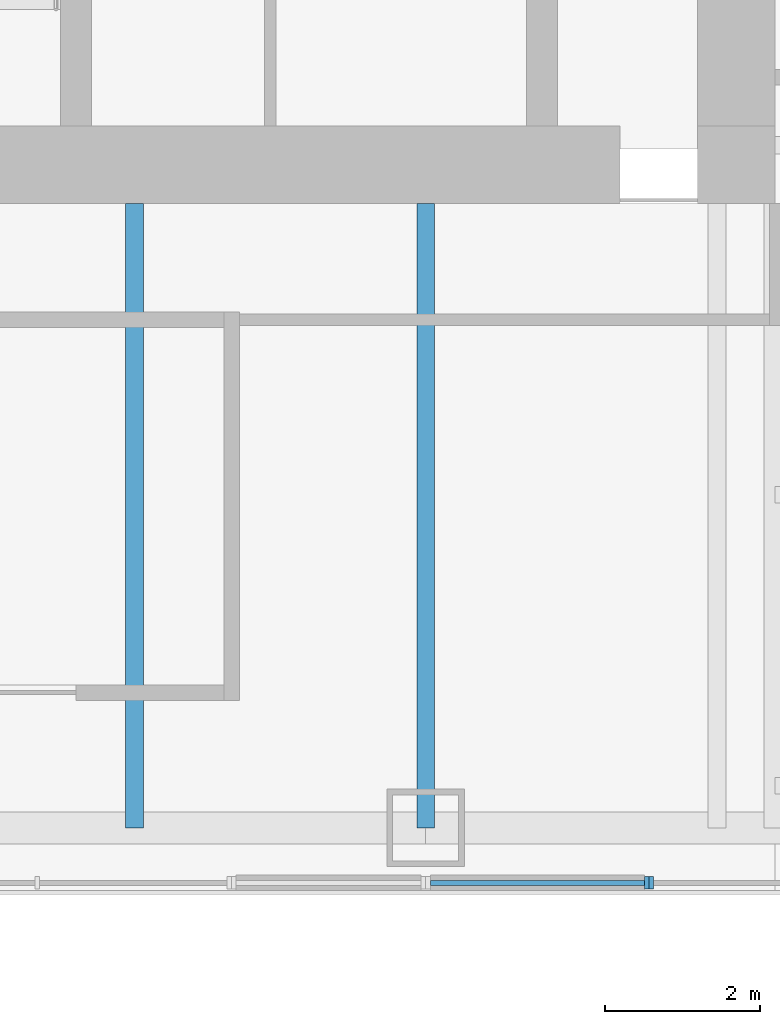
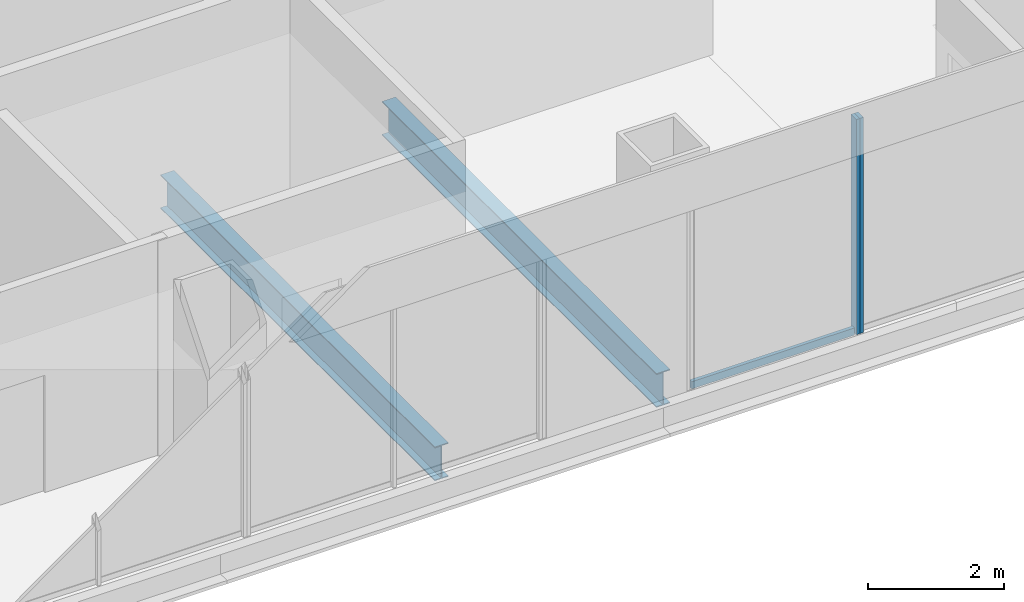
# One storey, part 3 of 14: 3 members, 2 beams, 2 elements without a shape of their own.
"""IFC4 building model written with IfcOpenShell, lengths in metres."""

from ifc_helpers import new_model, si_unit, direction, frame, origin, origin_2d, place, context, subcontext, project, spatial, rectangle, i_section, extrude, material, material_profile, profile_set, type_object, element, aggregate, save


model = new_model("IFC4")

# Units and contexts
model_context = context("Model", 3, precision=1e-05, world=origin(), true_north=direction((0.0, 1.0)))
body_context = subcontext(model_context, "Body", "Model", "MODEL_VIEW")
ifc_project = project(units=[si_unit("LENGTHUNIT", "METRE"), si_unit("AREAUNIT", "SQUARE_METRE"), si_unit("VOLUMEUNIT", "CUBIC_METRE"), si_unit("PLANEANGLEUNIT", "RADIAN"), si_unit("MASSUNIT", "GRAM", prefix="KILO")], contexts=[model_context])

# Site, building, storey
site_placement = place(None, origin())
site = spatial("IfcSite", under=ifc_project, at=site_placement, CompositionType="ELEMENT")
building_placement = place(site_placement, origin())
building = spatial("IfcBuilding", under=site, at=building_placement, Name="Tarangal Relay Tower", CompositionType="ELEMENT")
storey_placement = place(building_placement, frame((0.0, 0.0, 307.89990234375)))
storey = spatial("IfcBuildingStorey", under=building, at=storey_placement, Name="L68", CompositionType="ELEMENT", Elevation=307.89990234375)

# Beams
ifc_material_1 = material(Name="Steel ASTM A992", Category="steel")
ifc_material_profile_1 = material_profile(ifc_material_1, i_section(OverallWidth=0.228271484375, OverallDepth=0.607177734375, WebThickness=0.01123046875, FlangeThickness=0.017333984375, at=origin_2d()), Name="W24X76")
ifc_profile_set_1 = profile_set([ifc_material_profile_1], Name="Steel ASTM A992")
beam_type = type_object("IfcBeamType", Name="Floor beam W24X76", PredefinedType="BEAM", material=ifc_profile_set_1)
for number, where, z_axis, x_axis, name in (
    (1, (7.5, -12.0, -0.453369140625), (0.0, -1.0, 0.0), (1.0, 0.0, 0.0), "Floor beam RB5 S L68"),
    (2, (3.75, -12.0, -0.453369140625), (0.0, -1.0, 0.0), (1.0, 0.0, 0.0), "Floor beam RB5 S L68"),
):
    element("IfcBeam", number, at=place(storey_placement, frame(where, z_axis=z_axis, x_axis=x_axis)), inside=storey, type_object=beam_type, Name=name, PredefinedType="BEAM", context=body_context, shape_type="SweptSolid", body=[
        extrude(i_section(OverallWidth=0.228271484375, OverallDepth=0.607177734375, WebThickness=0.01123046875, FlangeThickness=0.017333984375, at=origin_2d()), origin(), (0.0, 0.0, 1.0), 8.0400390625),
    ])

# Curtain wall, member
ifc_material_2 = material(Name="Unitised curtain wall, dark glass and black aluminium", Category="aluminium")
curtain_wall_type_1 = type_object("IfcCurtainWallType", Name="Curtain wall CW-B", PredefinedType="USERDEFINED", material=ifc_material_2)
curtain_wall_1_placement = place(storey_placement, origin())
curtain_wall_1 = element("IfcCurtainWall", 3, at=curtain_wall_1_placement, inside=storey, type_object=curtain_wall_type_1, Name="Curtain wall CW-B S facade L68", ObjectType="UNITISED CURTAIN WALL", PredefinedType="USERDEFINED")
ifc_material_3 = material(Name="Black anodised aluminium mullion", Category="aluminium")
ifc_material_profile_2 = material_profile(ifc_material_3, rectangle(XDim=0.159912109375, YDim=0.06005859375, at=origin_2d()), Name="CW-BM 60X160")
ifc_profile_set_2 = profile_set([ifc_material_profile_2], Name="Black anodised aluminium mullion")
member_type_1 = type_object("IfcMemberType", Name="Mullion CW-B 60 x 160", PredefinedType="MULLION", material=ifc_profile_set_2)
member_1_placement = place(storey_placement, frame((10.405029296875, -20.75, 0.0), z_axis=(0.0, 0.0, 1.0), x_axis=(0.0, -1.0, 0.0)))
member_1 = element("IfcMember", 4, at=member_1_placement, type_object=member_type_1, Name="CW-B mullion 2", PredefinedType="MULLION", context=body_context, shape_type="SweptSolid", body=[
    extrude(rectangle(XDim=0.159912109375, YDim=0.06005859375, at=origin_2d()), origin(), (0.0, 0.0, 1.0), 3.85009765625),
])
aggregate(curtain_wall_1, [member_1])

# Curtain wall, members
ifc_material_4 = material(Name="Unitised curtain wall frame, black aluminium, with metal clad infill walls", Category="aluminium")
curtain_wall_type_2 = type_object("IfcCurtainWallType", Name="Curtain wall CW-BO", PredefinedType="USERDEFINED", material=ifc_material_4)
curtain_wall_2_placement = place(storey_placement, origin())
curtain_wall_2 = element("IfcCurtainWall", 5, at=curtain_wall_2_placement, inside=storey, type_object=curtain_wall_type_2, Name="Curtain wall CW-BO S facade L68", ObjectType="UNITISED CURTAIN WALL", PredefinedType="USERDEFINED")
ifc_material_profile_3 = material_profile(ifc_material_3, rectangle(XDim=0.159912109375, YDim=0.06005859375, at=origin_2d()), Name="CW-BOM 60X160")
ifc_profile_set_3 = profile_set([ifc_material_profile_3], Name="Black anodised aluminium mullion")
member_type_2 = type_object("IfcMemberType", Name="Mullion CW-BO 60 x 160", PredefinedType="MULLION", material=ifc_profile_set_3)
member_2_placement = place(storey_placement, frame((10.344970703125, -20.75, 0.0), z_axis=(0.0, 0.0, 1.0), x_axis=(0.0, -1.0, 0.0)))
member_2 = element("IfcMember", 6, at=member_2_placement, type_object=member_type_2, Name="CW-BO mullion 1", PredefinedType="MULLION", context=body_context, shape_type="SweptSolid", body=[
    extrude(rectangle(XDim=0.159912109375, YDim=0.06005859375, at=origin_2d()), origin(), (0.0, 0.0, 1.0), 3.85009765625),
])
ifc_material_5 = material(Name="Black anodised aluminium transom", Category="aluminium")
ifc_material_profile_4 = material_profile(ifc_material_5, rectangle(XDim=0.06005859375, YDim=0.1298828125, at=origin_2d()), Name="CW-BOT 60X130")
ifc_profile_set_4 = profile_set([ifc_material_profile_4], Name="Black anodised aluminium transom")
member_type_3 = type_object("IfcMemberType", Name="Transom CW-BO 60 x 130", PredefinedType="USERDEFINED", material=ifc_profile_set_4)
member_3_placement = place(storey_placement, frame((10.31494140625, -20.75, 0.030029296875), z_axis=(-1.0, 0.0, 0.0), x_axis=(0.0, -1.0, 0.0)))
member_3 = element("IfcMember", 7, at=member_3_placement, type_object=member_type_3, Name="CW-BO transom 1.1", ObjectType="TRANSOM", PredefinedType="USERDEFINED", context=body_context, shape_type="SweptSolid", body=[
    extrude(rectangle(XDim=0.06005859375, YDim=0.1298828125, at=origin_2d()), origin(), (0.0, 0.0, 1.0), 2.7548828125),
])
aggregate(curtain_wall_2, [member_2, member_3])

save(model, "model.ifc")
